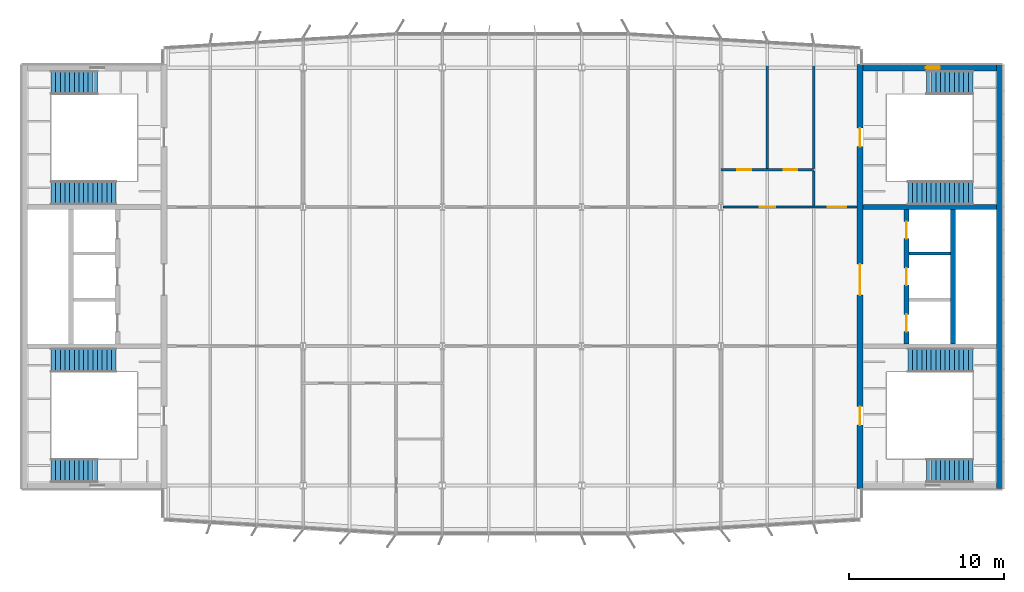
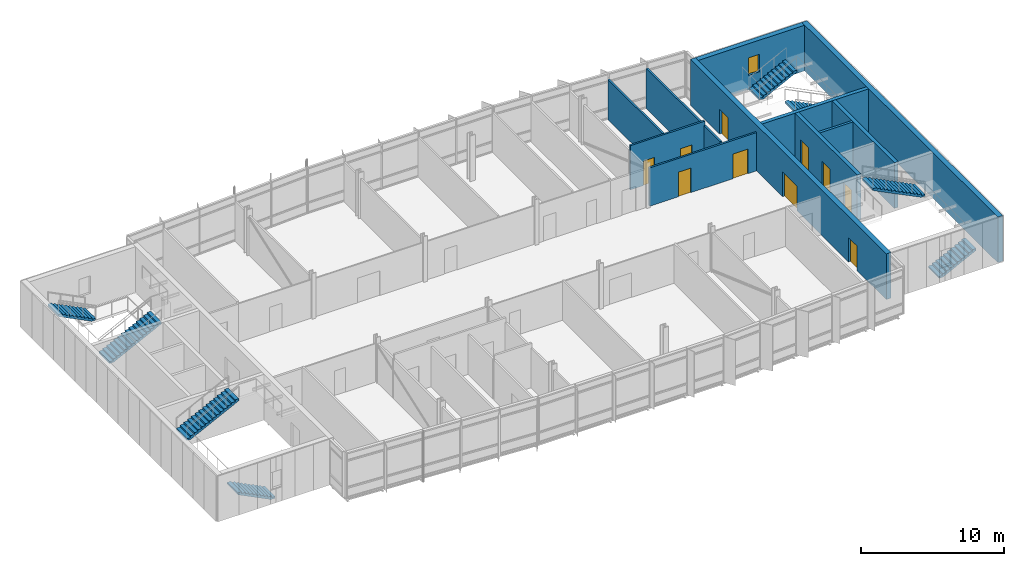
# One storey, part 14 of 18: 12 walls, 10 doors, 8 stair flights, 1 window, 11 openings, 4 elements without a shape of their own.
"""IFC4 building model written with IfcOpenShell, lengths in metres."""

from ifc_helpers import new_model, si_unit, direction, frame, frame_2d, origin, place, context, subcontext, project, spatial, polyline, rectangle, outline, extrude, material, layer, layer_set, type_object, element, fill, aggregate, save


model = new_model("IFC4")

# Units and contexts
model_context = context("Model", 3, precision=1e-05, world=origin(), true_north=direction((0.0, 1.0)))
body_context = subcontext(model_context, "Body", "Model", "MODEL_VIEW")
ifc_project = project(units=[si_unit("LENGTHUNIT", "METRE"), si_unit("AREAUNIT", "SQUARE_METRE"), si_unit("VOLUMEUNIT", "CUBIC_METRE"), si_unit("PLANEANGLEUNIT", "RADIAN"), si_unit("MASSUNIT", "GRAM", prefix="KILO")], contexts=[model_context])

# Site, building, storey
site_placement = place(None, origin())
site = spatial("IfcSite", under=ifc_project, at=site_placement, CompositionType="ELEMENT")
building_placement = place(site_placement, origin())
building = spatial("IfcBuilding", under=site, at=building_placement, Name="Azimuth Sports and Learning Centre", CompositionType="ELEMENT")
storey_placement = place(building_placement, frame((0.0, 0.0, 55.800048828125)))
storey = spatial("IfcBuildingStorey", under=building, at=storey_placement, Name="L12", CompositionType="ELEMENT", Elevation=55.800048828125)

# Wall
ifc_material_1 = material(Name="Dense masonry blockwork", Category="masonry")
ifc_layer_1 = layer(ifc_material_1, 0.199951171875)
ifc_layer_set_1 = layer_set([ifc_layer_1], Name="Dense masonry blockwork")
wall_type_1 = type_object("IfcWallType", Name="Blockwork wall 200 EI 120", PredefinedType="SOLIDWALL", material=ifc_layer_set_1)
wall_1_placement = place(storey_placement, frame((111.14990234375, 105.0, 0.0), z_axis=(0.0, 0.0, 1.0), x_axis=(1.0, 0.0, 0.0)))
element("IfcWall", 1, at=wall_1_placement, inside=storey, type_object=wall_type_1, Name="SD-E-2-L12", PredefinedType="SOLIDWALL", context=body_context, shape_type="SweptSolid", body=[
    extrude(rectangle(XDim=2.7001953125, YDim=0.199951171875, at=frame_2d((1.35009765625, 0.0))), origin(), (0.0, 0.0, 1.0), 3.89990234375),
])

# Wall, openings, doors
ifc_material_2 = material(Name="Lightweight blockwork, rendered", Category="masonry")
ifc_layer_2 = layer(ifc_material_2, 0.14990234375)
ifc_layer_set_2 = layer_set([ifc_layer_2], Name="Lightweight blockwork, rendered")
wall_type_2 = type_object("IfcWallType", Name="Partition 150 EI 60", PredefinedType="PARTITIONING", material=ifc_layer_set_2)
wall_2_placement = place(storey_placement, frame((99.153564453125, 108.0, 0.0), z_axis=(0.0, 0.0, 1.0), x_axis=(1.0, 0.0, 0.0)))
wall_2 = element("IfcWall", 2, at=wall_2_placement, inside=storey, type_object=wall_type_2, Name="Partition Stair Lobby E2 12.04 / First Aid Room 12.22", PredefinedType="PARTITIONING", context=body_context, shape_type="SweptSolid", body=[
    extrude(rectangle(XDim=8.646484375, YDim=0.14990234375, at=frame_2d((4.3232421875, 0.0))), origin(), (0.0, 0.0, 1.0), 3.27001953125),
])
opening_1_placement = place(wall_2_placement, frame((6.74658203125, 0.0, 0.0)))
opening_1 = element("IfcOpeningElement", 3, at=opening_1_placement, cuts=wall_2, Name="Opening D12-014", PredefinedType="OPENING", context=body_context, shape_type="SweptSolid", body=[
    extrude(rectangle(XDim=1.199951171875, YDim=2.10009765625, at=frame_2d((0.60009765625, 1.050048828125))), frame((0.0, 0.0859375, 0.0), z_axis=(0.0, -1.0, 0.0), x_axis=(1.0, 0.0, 0.0)), (0.0, 0.0, 1.0), 0.171875),
])
opening_2_placement = place(wall_2_placement, frame((2.346435546875, 0.0, 0.0)))
opening_2 = element("IfcOpeningElement", 4, at=opening_2_placement, cuts=wall_2, Name="Opening D12-027", PredefinedType="OPENING", context=body_context, shape_type="SweptSolid", body=[
    extrude(rectangle(XDim=1.0, YDim=2.10009765625, at=frame_2d((0.5, 1.050048828125))), frame((0.0, 0.0859375, 0.0), z_axis=(0.0, -1.0, 0.0), x_axis=(1.0, 0.0, 0.0)), (0.0, 0.0, 1.0), 0.171875),
])
ifc_material_3 = material(Name="Painted steel door set", Category="steel")
door_type_1 = type_object("IfcDoorType", Name="Fire door FD60 1000 x 2100", OperationType="NOTDEFINED", PredefinedType="DOOR", material=ifc_material_3)
door_1_placement = place(opening_2_placement, origin())
door_1 = element("IfcDoor", 5, at=door_1_placement, inside=storey, type_object=door_type_1, Name="Door WC Lobby 12.23 / Learning Street", OperationType="SINGLE_SWING_LEFT", OverallHeight=2.10009765625, OverallWidth=1.0, PredefinedType="DOOR", context=body_context, shape_type="SweptSolid", body=[
    extrude(rectangle(XDim=1.0, YDim=2.10009765625, at=frame_2d((0.5, 1.050048828125))), frame((0.0, 0.02490234375, 0.0), z_axis=(0.0, -1.0, 0.0), x_axis=(1.0, 0.0, 0.0)), (0.0, 0.0, 1.0), 0.050048828125),
])
fill(opening_2, door_1)
ifc_material_4 = material(Name="Painted steel door set", Category="steel")
door_type_2 = type_object("IfcDoorType", Name="Fire door FD60 1200 x 2100", OperationType="NOTDEFINED", PredefinedType="DOOR", material=ifc_material_4)
door_2_placement = place(opening_1_placement, origin())
door_2 = element("IfcDoor", 6, at=door_2_placement, inside=storey, type_object=door_type_2, Name="Door Stair Lobby E2 12.04 / Learning Street", OperationType="SINGLE_SWING_RIGHT", OverallHeight=2.10009765625, OverallWidth=1.199951171875, PredefinedType="DOOR", context=body_context, shape_type="SweptSolid", body=[
    extrude(rectangle(XDim=1.199951171875, YDim=2.10009765625, at=frame_2d((0.60009765625, 1.050048828125))), frame((0.0, 0.02490234375, 0.0), z_axis=(0.0, -1.0, 0.0), x_axis=(1.0, 0.0, 0.0)), (0.0, 0.0, 1.0), 0.050048828125),
])
fill(opening_1, door_2)

wall_3_placement = place(storey_placement, frame((99.0, 110.39990234375, 0.0), z_axis=(0.0, 0.0, 1.0), x_axis=(1.0, 0.0, 0.0)))
wall_3 = element("IfcWall", 7, at=wall_3_placement, inside=storey, type_object=wall_type_2, Name="Partition WC Lobby 12.23 / Men WC 12.24", PredefinedType="PARTITIONING", context=body_context, shape_type="SweptSolid", body=[
    extrude(rectangle(XDim=6.0, YDim=0.14990234375, at=frame_2d((3.0, 0.0))), origin(), (0.0, 0.0, 1.0), 3.77001953125),
])
opening_3_placement = place(wall_3_placement, frame((1.050048828125, 0.0, 0.0)))
opening_3 = element("IfcOpeningElement", 8, at=opening_3_placement, cuts=wall_3, Name="Opening D12-032", PredefinedType="OPENING", context=body_context, shape_type="SweptSolid", body=[
    extrude(rectangle(XDim=0.89990234375, YDim=2.10009765625, at=frame_2d((0.449951171875, 1.050048828125))), frame((0.0, 0.0859375, 0.0), z_axis=(0.0, -1.0, 0.0), x_axis=(1.0, 0.0, 0.0)), (0.0, 0.0, 1.0), 0.171875),
])
opening_4_placement = place(wall_3_placement, frame((4.050048828125, 0.0, 0.0)))
opening_4 = element("IfcOpeningElement", 9, at=opening_4_placement, cuts=wall_3, Name="Opening D12-033", PredefinedType="OPENING", context=body_context, shape_type="SweptSolid", body=[
    extrude(rectangle(XDim=0.89990234375, YDim=2.10009765625, at=frame_2d((0.449951171875, 1.050048828125))), frame((0.0, 0.0859375, 0.0), z_axis=(0.0, -1.0, 0.0), x_axis=(1.0, 0.0, 0.0)), (0.0, 0.0, 1.0), 0.171875),
])
ifc_material_5 = material(Name="Painted steel door set", Category="steel")
door_type_3 = type_object("IfcDoorType", Name="Fire door FD60 900 x 2100", OperationType="NOTDEFINED", PredefinedType="DOOR", material=ifc_material_5)
door_3_placement = place(opening_3_placement, frame((0.89990234375, 0.0, 0.0), z_axis=(0.0, 0.0, 1.0), x_axis=(-1.0, 0.0, 0.0)))
door_3 = element("IfcDoor", 10, at=door_3_placement, inside=storey, type_object=door_type_3, Name="Door WC Lobby 12.23 / Men WC 12.24", OperationType="SINGLE_SWING_RIGHT", OverallHeight=2.10009765625, OverallWidth=0.89990234375, PredefinedType="DOOR", context=body_context, shape_type="SweptSolid", body=[
    extrude(rectangle(XDim=0.89990234375, YDim=2.10009765625, at=frame_2d((0.449951171875, 1.050048828125))), frame((0.0, 0.02490234375, 0.0), z_axis=(0.0, -1.0, 0.0), x_axis=(1.0, 0.0, 0.0)), (0.0, 0.0, 1.0), 0.050048828125),
])
fill(opening_3, door_3)
door_4_placement = place(opening_4_placement, frame((0.89990234375, 0.0, 0.0), z_axis=(0.0, 0.0, 1.0), x_axis=(-1.0, 0.0, 0.0)))
door_4 = element("IfcDoor", 11, at=door_4_placement, inside=storey, type_object=door_type_3, Name="Door WC Lobby 12.23 / Women WC 12.25", OperationType="SINGLE_SWING_LEFT", OverallHeight=2.10009765625, OverallWidth=0.89990234375, PredefinedType="DOOR", context=body_context, shape_type="SweptSolid", body=[
    extrude(rectangle(XDim=0.89990234375, YDim=2.10009765625, at=frame_2d((0.449951171875, 1.050048828125))), frame((0.0, 0.02490234375, 0.0), z_axis=(0.0, -1.0, 0.0), x_axis=(1.0, 0.0, 0.0)), (0.0, 0.0, 1.0), 0.050048828125),
])
fill(opening_4, door_4)

# Walls
wall_4_placement = place(storey_placement, frame((102.0, 110.47509765625, 0.0), z_axis=(0.0, 0.0, 1.0), x_axis=(0.0, 1.0, 0.0)))
element("IfcWall", 12, at=wall_4_placement, inside=storey, type_object=wall_type_2, Name="Partition Men WC 12.24 / Women WC 12.25", PredefinedType="PARTITIONING", context=body_context, shape_type="SweptSolid", body=[
    extrude(rectangle(XDim=8.0849609375, YDim=0.14990234375, at=frame_2d((4.04248046875, 0.0))), origin(), (0.0, 0.0, 1.0), 3.409912109375),
])
wall_5_placement = place(storey_placement, frame((105.0, 108.074951171875, 0.0), z_axis=(0.0, 0.0, 1.0), x_axis=(0.0, 1.0, 0.0)))
element("IfcWall", 13, at=wall_5_placement, inside=storey, type_object=wall_type_2, Name="Partition Stair Lobby E2 12.04 / WC Lobby 12.23", PredefinedType="PARTITIONING", context=body_context, shape_type="SweptSolid", body=[
    extrude(rectangle(XDim=2.25, YDim=0.14990234375, at=frame_2d((1.125, 0.0))), origin(), (0.0, 0.0, 1.0), 3.409912109375),
])
wall_6_placement = place(storey_placement, frame((105.0, 110.47509765625, 0.0), z_axis=(0.0, 0.0, 1.0), x_axis=(0.0, 1.0, 0.0)))
element("IfcWall", 14, at=wall_6_placement, inside=storey, type_object=wall_type_2, Name="Partition Stair Lobby E2 12.04 / WC Lobby 12.23", PredefinedType="PARTITIONING", context=body_context, shape_type="SweptSolid", body=[
    extrude(rectangle(XDim=7.90478515625, YDim=0.14990234375, at=frame_2d((3.952392578125, 0.0))), origin(), (0.0, 0.0, 1.0), 3.409912109375),
])
ifc_material_6 = material(Name="Concrete C40/50", Category="concrete")
ifc_layer_3 = layer(ifc_material_6, 0.300048828125)
ifc_layer_set_3 = layer_set([ifc_layer_3], Name="Concrete C40/50")
wall_type_3 = type_object("IfcWallType", Name="RC core wall 300", PredefinedType="SHEAR", material=ifc_layer_set_3)
wall_7_placement = place(storey_placement, frame((108.199951171875, 108.0, 0.0), z_axis=(0.0, 0.0, 1.0), x_axis=(1.0, 0.0, 0.0)))
element("IfcWall", 15, at=wall_7_placement, inside=storey, type_object=wall_type_3, Name="Core wall E D2 L12", PredefinedType="SHEAR", context=body_context, shape_type="SweptSolid", body=[
    extrude(rectangle(XDim=8.60009765625, YDim=0.300048828125, at=frame_2d((4.300048828125, 0.0))), origin(), (0.0, 0.0, 1.0), 3.89990234375),
])

# Wall, openings, doors
wall_8_placement = place(storey_placement, frame((111.0, 99.14990234375, 0.0), z_axis=(0.0, 0.0, 1.0), x_axis=(0.0, 1.0, 0.0)))
wall_8 = element("IfcWall", 16, at=wall_8_placement, inside=storey, type_object=wall_type_3, Name="Core wall E LB1 L12", PredefinedType="SHEAR", context=body_context, shape_type="SweptSolid", body=[
    extrude(rectangle(XDim=8.7001953125, YDim=0.300048828125, at=frame_2d((4.35009765625, 0.0))), origin(), (0.0, 0.0, 1.0), 3.89990234375),
])
opening_5_placement = place(wall_8_placement, frame((0.800048828125, 0.0, 0.0)))
opening_5 = element("IfcOpeningElement", 17, at=opening_5_placement, cuts=wall_8, Name="Opening D12-008", PredefinedType="OPENING", context=body_context, shape_type="SweptSolid", body=[
    extrude(rectangle(XDim=1.10009765625, YDim=2.10009765625, at=frame_2d((0.550048828125, 1.050048828125))), frame((0.0, 0.1611328125, 0.0), z_axis=(0.0, -1.0, 0.0), x_axis=(1.0, 0.0, 0.0)), (0.0, 0.0, 1.0), 0.322021484375),
])
opening_6_placement = place(wall_8_placement, frame((3.800048828125, 0.0, 0.0)))
opening_6 = element("IfcOpeningElement", 18, at=opening_6_placement, cuts=wall_8, Name="Opening D12-009", PredefinedType="OPENING", context=body_context, shape_type="SweptSolid", body=[
    extrude(rectangle(XDim=1.10009765625, YDim=2.10009765625, at=frame_2d((0.550048828125, 1.050048828125))), frame((0.0, 0.1611328125, 0.0), z_axis=(0.0, -1.0, 0.0), x_axis=(1.0, 0.0, 0.0)), (0.0, 0.0, 1.0), 0.322021484375),
])
opening_7_placement = place(wall_8_placement, frame((6.800048828125, 0.0, 0.0)))
opening_7 = element("IfcOpeningElement", 19, at=opening_7_placement, cuts=wall_8, Name="Opening D12-010", PredefinedType="OPENING", context=body_context, shape_type="SweptSolid", body=[
    extrude(rectangle(XDim=1.10009765625, YDim=2.10009765625, at=frame_2d((0.550048828125, 1.050048828125))), frame((0.0, 0.1611328125, 0.0), z_axis=(0.0, -1.0, 0.0), x_axis=(1.0, 0.0, 0.0)), (0.0, 0.0, 1.0), 0.322021484375),
])
ifc_material_7 = material(Name="Stainless steel", Category="steel")
door_type_4 = type_object("IfcDoorType", Name="Lift landing door 1100 x 2100", OperationType="DOUBLE_DOOR_SLIDING", PredefinedType="DOOR", material=ifc_material_7)
door_5_placement = place(opening_5_placement, origin())
door_5 = element("IfcDoor", 20, at=door_5_placement, inside=storey, type_object=door_type_4, Name="Landing door LE1 L12", OperationType="DOUBLE_DOOR_SLIDING", OverallHeight=2.10009765625, OverallWidth=1.10009765625, PredefinedType="DOOR", context=body_context, shape_type="SweptSolid", body=[
    extrude(rectangle(XDim=1.10009765625, YDim=2.10009765625, at=frame_2d((0.550048828125, 1.050048828125))), frame((0.0, 0.02490234375, 0.0), z_axis=(0.0, -1.0, 0.0), x_axis=(1.0, 0.0, 0.0)), (0.0, 0.0, 1.0), 0.050048828125),
])
fill(opening_5, door_5)
door_6_placement = place(opening_6_placement, origin())
door_6 = element("IfcDoor", 21, at=door_6_placement, inside=storey, type_object=door_type_4, Name="Landing door LE2 L12", OperationType="DOUBLE_DOOR_SLIDING", OverallHeight=2.10009765625, OverallWidth=1.10009765625, PredefinedType="DOOR", context=body_context, shape_type="SweptSolid", body=[
    extrude(rectangle(XDim=1.10009765625, YDim=2.10009765625, at=frame_2d((0.550048828125, 1.050048828125))), frame((0.0, 0.02490234375, 0.0), z_axis=(0.0, -1.0, 0.0), x_axis=(1.0, 0.0, 0.0)), (0.0, 0.0, 1.0), 0.050048828125),
])
fill(opening_6, door_6)
door_7_placement = place(opening_7_placement, origin())
door_7 = element("IfcDoor", 22, at=door_7_placement, inside=storey, type_object=door_type_4, Name="Landing door LE3 L12", OperationType="DOUBLE_DOOR_SLIDING", OverallHeight=2.10009765625, OverallWidth=1.10009765625, PredefinedType="DOOR", context=body_context, shape_type="SweptSolid", body=[
    extrude(rectangle(XDim=1.10009765625, YDim=2.10009765625, at=frame_2d((0.550048828125, 1.050048828125))), frame((0.0, 0.02490234375, 0.0), z_axis=(0.0, -1.0, 0.0), x_axis=(1.0, 0.0, 0.0)), (0.0, 0.0, 1.0), 0.050048828125),
])
fill(opening_7, door_7)

# Wall
wall_9_placement = place(storey_placement, frame((114.0, 99.14990234375, 0.0), z_axis=(0.0, 0.0, 1.0), x_axis=(0.0, 1.0, 0.0)))
element("IfcWall", 23, at=wall_9_placement, inside=storey, type_object=wall_type_3, Name="Core wall E LB2 L12", PredefinedType="SHEAR", context=body_context, shape_type="SweptSolid", body=[
    extrude(rectangle(XDim=8.7001953125, YDim=0.300048828125, at=frame_2d((4.35009765625, 0.0))), origin(), (0.0, 0.0, 1.0), 3.89990234375),
])

# Wall, openings, doors
ifc_material_8 = material(Name="Concrete C40/50", Category="concrete")
ifc_layer_4 = layer(ifc_material_8, 0.39990234375)
ifc_layer_set_4 = layer_set([ifc_layer_4], Name="Concrete C40/50")
wall_type_4 = type_object("IfcWallType", Name="RC core wall 400", PredefinedType="SHEAR", material=ifc_layer_set_4)
wall_10_placement = place(storey_placement, frame((108.0, 89.800048828125, 0.0), z_axis=(0.0, 0.0, 1.0), x_axis=(0.0, 1.0, 0.0)))
wall_10 = element("IfcWall", 24, at=wall_10_placement, inside=storey, type_object=wall_type_4, Name="Core wall E W L12", PredefinedType="SHEAR", context=body_context, shape_type="SweptSolid", body=[
    extrude(rectangle(XDim=27.39990234375, YDim=0.39990234375, at=frame_2d((13.699951171875, 0.0))), origin(), (0.0, 0.0, 1.0), 3.89990234375),
])
opening_8_placement = place(wall_10_placement, frame((4.10009765625, 0.0, 0.0)))
opening_8 = element("IfcOpeningElement", 25, at=opening_8_placement, cuts=wall_10, Name="Opening D12-003", PredefinedType="OPENING", context=body_context, shape_type="SweptSolid", body=[
    extrude(rectangle(XDim=1.199951171875, YDim=2.10009765625, at=frame_2d((0.60009765625, 1.050048828125))), frame((0.0, 0.2109375, 0.0), z_axis=(0.0, -1.0, 0.0), x_axis=(1.0, 0.0, 0.0)), (0.0, 0.0, 1.0), 0.421875),
])
opening_9_placement = place(wall_10_placement, frame((22.10009765625, 0.0, 0.0)))
opening_9 = element("IfcOpeningElement", 26, at=opening_9_placement, cuts=wall_10, Name="Opening D12-004", PredefinedType="OPENING", context=body_context, shape_type="SweptSolid", body=[
    extrude(rectangle(XDim=1.199951171875, YDim=2.10009765625, at=frame_2d((0.60009765625, 1.050048828125))), frame((0.0, 0.2109375, 0.0), z_axis=(0.0, -1.0, 0.0), x_axis=(1.0, 0.0, 0.0)), (0.0, 0.0, 1.0), 0.421875),
])
opening_10_placement = place(wall_10_placement, frame((12.5, 0.0, 0.0)))
opening_10 = element("IfcOpeningElement", 27, at=opening_10_placement, cuts=wall_10, Name="Opening D12-035", PredefinedType="OPENING", context=body_context, shape_type="SweptSolid", body=[
    extrude(rectangle(XDim=2.0, YDim=2.10009765625, at=frame_2d((1.0, 1.050048828125))), frame((0.0, 0.2109375, 0.0), z_axis=(0.0, -1.0, 0.0), x_axis=(1.0, 0.0, 0.0)), (0.0, 0.0, 1.0), 0.421875),
])
ifc_material_9 = material(Name="Painted steel door set", Category="steel")
door_type_5 = type_object("IfcDoorType", Name="Fire door FD120 2000 x 2100 double leaf", OperationType="DOUBLE_DOOR_SINGLE_SWING", PredefinedType="DOOR", material=ifc_material_9)
door_8_placement = place(opening_10_placement, frame((2.0, 0.0, 0.0), z_axis=(0.0, 0.0, 1.0), x_axis=(-1.0, 0.0, 0.0)))
door_8 = element("IfcDoor", 28, at=door_8_placement, inside=storey, type_object=door_type_5, Name="Door Lift Lobby E 12.06 / Learning Street", OperationType="DOUBLE_DOOR_SINGLE_SWING", OverallHeight=2.10009765625, OverallWidth=2.0, PredefinedType="DOOR", context=body_context, shape_type="SweptSolid", body=[
    extrude(rectangle(XDim=2.0, YDim=2.10009765625, at=frame_2d((1.0, 1.050048828125))), frame((0.0, 0.02490234375, 0.0), z_axis=(0.0, -1.0, 0.0), x_axis=(1.0, 0.0, 0.0)), (0.0, 0.0, 1.0), 0.050048828125),
])
fill(opening_10, door_8)
ifc_material_10 = material(Name="Steel", Category="steel")
door_type_6 = type_object("IfcDoorType", Name="Stair fire door 1200 x 2100", OperationType="NOTDEFINED", PredefinedType="DOOR", material=ifc_material_10)
door_9_placement = place(opening_8_placement, frame((1.199951171875, 0.0, 0.0), z_axis=(0.0, 0.0, 1.0), x_axis=(-1.0, 0.0, 0.0)))
door_9 = element("IfcDoor", 29, at=door_9_placement, inside=storey, type_object=door_type_6, Name="Stair door E1 L12", OperationType="SINGLE_SWING_RIGHT", OverallHeight=2.10009765625, OverallWidth=1.199951171875, PredefinedType="DOOR", context=body_context, shape_type="SweptSolid", body=[
    extrude(rectangle(XDim=1.199951171875, YDim=2.10009765625, at=frame_2d((0.60009765625, 1.050048828125))), frame((0.0, 0.02490234375, 0.0), z_axis=(0.0, -1.0, 0.0), x_axis=(1.0, 0.0, 0.0)), (0.0, 0.0, 1.0), 0.050048828125),
])
fill(opening_8, door_9)
door_10_placement = place(opening_9_placement, frame((1.199951171875, 0.0, 0.0), z_axis=(0.0, 0.0, 1.0), x_axis=(-1.0, 0.0, 0.0)))
door_10 = element("IfcDoor", 30, at=door_10_placement, inside=storey, type_object=door_type_6, Name="Stair door E2 L12", OperationType="SINGLE_SWING_RIGHT", OverallHeight=2.10009765625, OverallWidth=1.199951171875, PredefinedType="DOOR", context=body_context, shape_type="SweptSolid", body=[
    extrude(rectangle(XDim=1.199951171875, YDim=2.10009765625, at=frame_2d((0.60009765625, 1.050048828125))), frame((0.0, 0.02490234375, 0.0), z_axis=(0.0, -1.0, 0.0), x_axis=(1.0, 0.0, 0.0)), (0.0, 0.0, 1.0), 0.050048828125),
])
fill(opening_9, door_10)

# Wall, opening, window
ifc_material_11 = material(Name="Concrete C40/50", Category="concrete")
ifc_layer_5 = layer(ifc_material_11, 0.39990234375)
ifc_layer_set_5 = layer_set([ifc_layer_5], Name="Concrete C40/50")
wall_type_5 = type_object("IfcWallType", Name="RC external core wall 400", PredefinedType="SHEAR", material=ifc_layer_set_5)
wall_11_placement = place(storey_placement, frame((108.199951171875, 117.0, 0.0), z_axis=(0.0, 0.0, 1.0), x_axis=(1.0, 0.0, 0.0)))
wall_11 = element("IfcWall", 31, at=wall_11_placement, inside=storey, type_object=wall_type_5, Name="Core wall E N L12", PredefinedType="SHEAR", context=body_context, shape_type="SweptSolid", body=[
    extrude(rectangle(XDim=8.60009765625, YDim=0.39990234375, at=frame_2d((4.300048828125, 0.0))), origin(), (0.0, 0.0, 1.0), 3.89990234375),
])
opening_11_placement = place(wall_11_placement, frame((4.050048828125, 0.0, 1.199951171875)))
opening_11 = element("IfcOpeningElement", 32, at=opening_11_placement, cuts=wall_11, Name="Opening W12-003", PredefinedType="OPENING", context=body_context, shape_type="SweptSolid", body=[
    extrude(rectangle(XDim=0.89990234375, YDim=1.5, at=frame_2d((0.449951171875, 0.75))), frame((0.0, 0.2109375, 0.0), z_axis=(0.0, -1.0, 0.0), x_axis=(1.0, 0.0, 0.0)), (0.0, 0.0, 1.0), 0.421875),
])
ifc_material_12 = material(Name="Aluminium and glass", Category="aluminium")
window_type = type_object("IfcWindowType", Name="Stair window tower core 900x1500", PartitioningType="SINGLE_PANEL", PredefinedType="WINDOW", material=ifc_material_12)
window_placement = place(opening_11_placement, origin())
window = element("IfcWindow", 33, at=window_placement, inside=storey, type_object=window_type, Name="Window W12-003", OverallHeight=1.5, OverallWidth=0.89990234375, PartitioningType="SINGLE_PANEL", PredefinedType="WINDOW", context=body_context, shape_type="SweptSolid", body=[
    extrude(rectangle(XDim=0.89990234375, YDim=1.5, at=frame_2d((0.449951171875, 0.75))), frame((0.0, 0.030029296875, 0.0), z_axis=(0.0, -1.0, 0.0), x_axis=(1.0, 0.0, 0.0)), (0.0, 0.0, 1.0), 0.06005859375),
])
fill(opening_11, window)

# Wall
wall_12_placement = place(storey_placement, frame((117.0, 89.800048828125, 0.0), z_axis=(0.0, 0.0, 1.0), x_axis=(0.0, 1.0, 0.0)))
element("IfcWall", 34, at=wall_12_placement, inside=storey, type_object=wall_type_5, Name="Core wall E E L12", PredefinedType="SHEAR", context=body_context, shape_type="SweptSolid", body=[
    extrude(rectangle(XDim=27.39990234375, YDim=0.39990234375, at=frame_2d((13.699951171875, 0.0))), origin(), (0.0, 0.0, 1.0), 3.89990234375),
])

# Stair, stair flight
ifc_material_13 = material(Name="Concrete C32/40", Category="concrete")
stair_type = type_object("IfcStairType", Name="Square-well stair core 3900 storey", PredefinedType="THREE_QUARTER_TURN_STAIR", material=ifc_material_13)
stair_1_placement = place(storey_placement, origin())
stair_1 = element("IfcStair", 35, at=stair_1_placement, inside=storey, type_object=stair_type, Name="Stair W1 L12-L13", PredefinedType="THREE_QUARTER_TURN_STAIR")
ifc_material_14 = material(Name="Concrete C32/40", Category="concrete")
stair_flight_type_1 = type_object("IfcStairFlightType", Name="Stair flight 11 risers", PredefinedType="STRAIGHT", material=ifc_material_14)
stair_flight_1_placement = place(storey_placement, frame((58.7099609375, 90.9599609375, 0.0), z_axis=(0.0, 0.0, 1.0), x_axis=(-1.0, 0.0, 0.0)))
stair_flight_1 = element("IfcStairFlight", 36, at=stair_flight_1_placement, type_object=stair_flight_type_1, Name="Stair W1 L12 flight 1", NumberOfRisers=11, NumberOfTreads=10, PredefinedType="STRAIGHT", RiserHeight=0.15, TreadLength=0.3, context=body_context, shape_type="SweptSolid", body=[
    extrude(outline(polyline([(0.0, 0.0), (0.0, 0.14990234375), (0.300048828125, 0.14990234375), (0.300048828125, 0.300048828125), (0.60009765625, 0.300048828125), (0.60009765625, 0.449951171875), (0.89990234375, 0.449951171875), (0.89990234375, 0.60009765625), (1.199951171875, 0.60009765625), (1.199951171875, 0.75), (1.5, 0.75), (1.5, 0.89990234375), (1.800048828125, 0.89990234375), (1.800048828125, 1.050048828125), (2.10009765625, 1.050048828125), (2.10009765625, 1.199951171875), (2.39990234375, 1.199951171875), (2.39990234375, 1.35009765625), (2.699951171875, 1.35009765625), (2.699951171875, 1.5), (3.0, 1.5), (3.0, 1.64990234375), (3.0, 1.33251953125), (0.335205078125, 0.0), (0.0, 0.0)])), frame((0.0, 0.75, 0.0), z_axis=(0.0, -1.0, 0.0), x_axis=(1.0, 0.0, 0.0)), (0.0, 0.0, 1.0), 1.5),
])

stair_2_placement = place(storey_placement, origin())
stair_2 = element("IfcStair", 37, at=stair_2_placement, inside=storey, type_object=stair_type, Name="Stair W2 L12-L13", PredefinedType="THREE_QUARTER_TURN_STAIR")
stair_flight_2_placement = place(storey_placement, frame((58.7099609375, 116.0400390625, 0.0), z_axis=(0.0, 0.0, 1.0), x_axis=(-1.0, 0.0, 0.0)))
stair_flight_2 = element("IfcStairFlight", 38, at=stair_flight_2_placement, type_object=stair_flight_type_1, Name="Stair W2 L12 flight 1", NumberOfRisers=11, NumberOfTreads=10, PredefinedType="STRAIGHT", RiserHeight=0.15, TreadLength=0.3, context=body_context, shape_type="SweptSolid", body=[
    extrude(outline(polyline([(0.0, 0.0), (0.0, 0.14990234375), (0.300048828125, 0.14990234375), (0.300048828125, 0.300048828125), (0.60009765625, 0.300048828125), (0.60009765625, 0.449951171875), (0.89990234375, 0.449951171875), (0.89990234375, 0.60009765625), (1.199951171875, 0.60009765625), (1.199951171875, 0.75), (1.5, 0.75), (1.5, 0.89990234375), (1.800048828125, 0.89990234375), (1.800048828125, 1.050048828125), (2.10009765625, 1.050048828125), (2.10009765625, 1.199951171875), (2.39990234375, 1.199951171875), (2.39990234375, 1.35009765625), (2.699951171875, 1.35009765625), (2.699951171875, 1.5), (3.0, 1.5), (3.0, 1.64990234375), (3.0, 1.33251953125), (0.335205078125, 0.0), (0.0, 0.0)])), frame((0.0, 0.75, 0.0), z_axis=(0.0, -1.0, 0.0), x_axis=(1.0, 0.0, 0.0)), (0.0, 0.0, 1.0), 1.5),
])

stair_3_placement = place(storey_placement, origin())
stair_3 = element("IfcStair", 39, at=stair_3_placement, inside=storey, type_object=stair_type, Name="Stair E1 L12-L13", PredefinedType="THREE_QUARTER_TURN_STAIR")
stair_flight_3_placement = place(storey_placement, frame((112.2900390625, 90.9599609375, 0.0), z_axis=(0.0, 0.0, 1.0), x_axis=(1.0, 0.0, 0.0)))
stair_flight_3 = element("IfcStairFlight", 40, at=stair_flight_3_placement, type_object=stair_flight_type_1, Name="Stair E1 L12 flight 1", NumberOfRisers=11, NumberOfTreads=10, PredefinedType="STRAIGHT", RiserHeight=0.15, TreadLength=0.3, context=body_context, shape_type="SweptSolid", body=[
    extrude(outline(polyline([(0.0, 0.0), (0.0, 0.14990234375), (0.300048828125, 0.14990234375), (0.300048828125, 0.300048828125), (0.60009765625, 0.300048828125), (0.60009765625, 0.449951171875), (0.89990234375, 0.449951171875), (0.89990234375, 0.60009765625), (1.199951171875, 0.60009765625), (1.199951171875, 0.75), (1.5, 0.75), (1.5, 0.89990234375), (1.800048828125, 0.89990234375), (1.800048828125, 1.050048828125), (2.10009765625, 1.050048828125), (2.10009765625, 1.199951171875), (2.39990234375, 1.199951171875), (2.39990234375, 1.35009765625), (2.699951171875, 1.35009765625), (2.699951171875, 1.5), (3.0, 1.5), (3.0, 1.64990234375), (3.0, 1.33251953125), (0.335205078125, 0.0), (0.0, 0.0)])), frame((0.0, 0.75, 0.0), z_axis=(0.0, -1.0, 0.0), x_axis=(1.0, 0.0, 0.0)), (0.0, 0.0, 1.0), 1.5),
])

stair_4_placement = place(storey_placement, origin())
stair_4 = element("IfcStair", 41, at=stair_4_placement, inside=storey, type_object=stair_type, Name="Stair E2 L12-L13", PredefinedType="THREE_QUARTER_TURN_STAIR")
stair_flight_4_placement = place(storey_placement, frame((112.2900390625, 116.0400390625, 0.0), z_axis=(0.0, 0.0, 1.0), x_axis=(1.0, 0.0, 0.0)))
stair_flight_4 = element("IfcStairFlight", 42, at=stair_flight_4_placement, type_object=stair_flight_type_1, Name="Stair E2 L12 flight 1", NumberOfRisers=11, NumberOfTreads=10, PredefinedType="STRAIGHT", RiserHeight=0.15, TreadLength=0.3, context=body_context, shape_type="SweptSolid", body=[
    extrude(outline(polyline([(0.0, 0.0), (0.0, 0.14990234375), (0.300048828125, 0.14990234375), (0.300048828125, 0.300048828125), (0.60009765625, 0.300048828125), (0.60009765625, 0.449951171875), (0.89990234375, 0.449951171875), (0.89990234375, 0.60009765625), (1.199951171875, 0.60009765625), (1.199951171875, 0.75), (1.5, 0.75), (1.5, 0.89990234375), (1.800048828125, 0.89990234375), (1.800048828125, 1.050048828125), (2.10009765625, 1.050048828125), (2.10009765625, 1.199951171875), (2.39990234375, 1.199951171875), (2.39990234375, 1.35009765625), (2.699951171875, 1.35009765625), (2.699951171875, 1.5), (3.0, 1.5), (3.0, 1.64990234375), (3.0, 1.33251953125), (0.335205078125, 0.0), (0.0, 0.0)])), frame((0.0, 0.75, 0.0), z_axis=(0.0, -1.0, 0.0), x_axis=(1.0, 0.0, 0.0)), (0.0, 0.0, 1.0), 1.5),
])

# Stair flight
ifc_material_15 = material(Name="Concrete C32/40", Category="concrete")
stair_flight_type_2 = type_object("IfcStairFlightType", Name="Stair flight 15 risers", PredefinedType="STRAIGHT", material=ifc_material_15)
stair_flight_5_placement = place(storey_placement, frame((55.7099609375, 98.090087890625, 1.64990234375), z_axis=(0.0, 0.0, 1.0), x_axis=(1.0, 0.0, 0.0)))
stair_flight_5 = element("IfcStairFlight", 43, at=stair_flight_5_placement, type_object=stair_flight_type_2, Name="Stair W1 L12 flight 2", NumberOfRisers=15, NumberOfTreads=14, PredefinedType="STRAIGHT", RiserHeight=0.15, TreadLength=0.3, context=body_context, shape_type="SweptSolid", body=[
    extrude(outline(polyline([(0.0, 0.0), (0.0, 0.14990234375), (0.300048828125, 0.14990234375), (0.300048828125, 0.300048828125), (0.60009765625, 0.300048828125), (0.60009765625, 0.449951171875), (0.89990234375, 0.449951171875), (0.89990234375, 0.60009765625), (1.199951171875, 0.60009765625), (1.199951171875, 0.75), (1.5, 0.75), (1.5, 0.89990234375), (1.800048828125, 0.89990234375), (1.800048828125, 1.050048828125), (2.10009765625, 1.050048828125), (2.10009765625, 1.199951171875), (2.39990234375, 1.199951171875), (2.39990234375, 1.35009765625), (2.699951171875, 1.35009765625), (2.699951171875, 1.5), (3.0, 1.5), (3.0, 1.64990234375), (3.300048828125, 1.64990234375), (3.300048828125, 1.800048828125), (3.60009765625, 1.800048828125), (3.60009765625, 1.949951171875), (3.89990234375, 1.949951171875), (3.89990234375, 2.10009765625), (4.199951171875, 2.10009765625), (4.199951171875, 2.25), (4.199951171875, 1.932373046875), (0.335205078125, 0.0), (0.0, 0.0)])), frame((0.0, 0.75, 0.0), z_axis=(0.0, -1.0, 0.0), x_axis=(1.0, 0.0, 0.0)), (0.0, 0.0, 1.0), 1.5),
])

aggregate(stair_1, [stair_flight_1, stair_flight_5])

stair_flight_6_placement = place(storey_placement, frame((55.7099609375, 108.909912109375, 1.64990234375), z_axis=(0.0, 0.0, 1.0), x_axis=(1.0, 0.0, 0.0)))
stair_flight_6 = element("IfcStairFlight", 44, at=stair_flight_6_placement, type_object=stair_flight_type_2, Name="Stair W2 L12 flight 2", NumberOfRisers=15, NumberOfTreads=14, PredefinedType="STRAIGHT", RiserHeight=0.15, TreadLength=0.3, context=body_context, shape_type="SweptSolid", body=[
    extrude(outline(polyline([(0.0, 0.0), (0.0, 0.14990234375), (0.300048828125, 0.14990234375), (0.300048828125, 0.300048828125), (0.60009765625, 0.300048828125), (0.60009765625, 0.449951171875), (0.89990234375, 0.449951171875), (0.89990234375, 0.60009765625), (1.199951171875, 0.60009765625), (1.199951171875, 0.75), (1.5, 0.75), (1.5, 0.89990234375), (1.800048828125, 0.89990234375), (1.800048828125, 1.050048828125), (2.10009765625, 1.050048828125), (2.10009765625, 1.199951171875), (2.39990234375, 1.199951171875), (2.39990234375, 1.35009765625), (2.699951171875, 1.35009765625), (2.699951171875, 1.5), (3.0, 1.5), (3.0, 1.64990234375), (3.300048828125, 1.64990234375), (3.300048828125, 1.800048828125), (3.60009765625, 1.800048828125), (3.60009765625, 1.949951171875), (3.89990234375, 1.949951171875), (3.89990234375, 2.10009765625), (4.199951171875, 2.10009765625), (4.199951171875, 2.25), (4.199951171875, 1.932373046875), (0.335205078125, 0.0), (0.0, 0.0)])), frame((0.0, 0.75, 0.0), z_axis=(0.0, -1.0, 0.0), x_axis=(1.0, 0.0, 0.0)), (0.0, 0.0, 1.0), 1.5),
])

aggregate(stair_2, [stair_flight_2, stair_flight_6])

stair_flight_7_placement = place(storey_placement, frame((115.2900390625, 98.090087890625, 1.64990234375), z_axis=(0.0, 0.0, 1.0), x_axis=(-1.0, 0.0, 0.0)))
stair_flight_7 = element("IfcStairFlight", 45, at=stair_flight_7_placement, type_object=stair_flight_type_2, Name="Stair E1 L12 flight 2", NumberOfRisers=15, NumberOfTreads=14, PredefinedType="STRAIGHT", RiserHeight=0.15, TreadLength=0.3, context=body_context, shape_type="SweptSolid", body=[
    extrude(outline(polyline([(0.0, 0.0), (0.0, 0.14990234375), (0.300048828125, 0.14990234375), (0.300048828125, 0.300048828125), (0.60009765625, 0.300048828125), (0.60009765625, 0.449951171875), (0.89990234375, 0.449951171875), (0.89990234375, 0.60009765625), (1.199951171875, 0.60009765625), (1.199951171875, 0.75), (1.5, 0.75), (1.5, 0.89990234375), (1.800048828125, 0.89990234375), (1.800048828125, 1.050048828125), (2.10009765625, 1.050048828125), (2.10009765625, 1.199951171875), (2.39990234375, 1.199951171875), (2.39990234375, 1.35009765625), (2.699951171875, 1.35009765625), (2.699951171875, 1.5), (3.0, 1.5), (3.0, 1.64990234375), (3.300048828125, 1.64990234375), (3.300048828125, 1.800048828125), (3.60009765625, 1.800048828125), (3.60009765625, 1.949951171875), (3.89990234375, 1.949951171875), (3.89990234375, 2.10009765625), (4.199951171875, 2.10009765625), (4.199951171875, 2.25), (4.199951171875, 1.932373046875), (0.335205078125, 0.0), (0.0, 0.0)])), frame((0.0, 0.75, 0.0), z_axis=(0.0, -1.0, 0.0), x_axis=(1.0, 0.0, 0.0)), (0.0, 0.0, 1.0), 1.5),
])

aggregate(stair_3, [stair_flight_3, stair_flight_7])

stair_flight_8_placement = place(storey_placement, frame((115.2900390625, 108.909912109375, 1.64990234375), z_axis=(0.0, 0.0, 1.0), x_axis=(-1.0, 0.0, 0.0)))
stair_flight_8 = element("IfcStairFlight", 46, at=stair_flight_8_placement, type_object=stair_flight_type_2, Name="Stair E2 L12 flight 2", NumberOfRisers=15, NumberOfTreads=14, PredefinedType="STRAIGHT", RiserHeight=0.15, TreadLength=0.3, context=body_context, shape_type="SweptSolid", body=[
    extrude(outline(polyline([(0.0, 0.0), (0.0, 0.14990234375), (0.300048828125, 0.14990234375), (0.300048828125, 0.300048828125), (0.60009765625, 0.300048828125), (0.60009765625, 0.449951171875), (0.89990234375, 0.449951171875), (0.89990234375, 0.60009765625), (1.199951171875, 0.60009765625), (1.199951171875, 0.75), (1.5, 0.75), (1.5, 0.89990234375), (1.800048828125, 0.89990234375), (1.800048828125, 1.050048828125), (2.10009765625, 1.050048828125), (2.10009765625, 1.199951171875), (2.39990234375, 1.199951171875), (2.39990234375, 1.35009765625), (2.699951171875, 1.35009765625), (2.699951171875, 1.5), (3.0, 1.5), (3.0, 1.64990234375), (3.300048828125, 1.64990234375), (3.300048828125, 1.800048828125), (3.60009765625, 1.800048828125), (3.60009765625, 1.949951171875), (3.89990234375, 1.949951171875), (3.89990234375, 2.10009765625), (4.199951171875, 2.10009765625), (4.199951171875, 2.25), (4.199951171875, 1.932373046875), (0.335205078125, 0.0), (0.0, 0.0)])), frame((0.0, 0.75, 0.0), z_axis=(0.0, -1.0, 0.0), x_axis=(1.0, 0.0, 0.0)), (0.0, 0.0, 1.0), 1.5),
])

aggregate(stair_4, [stair_flight_4, stair_flight_8])

save(model, "model.ifc")
